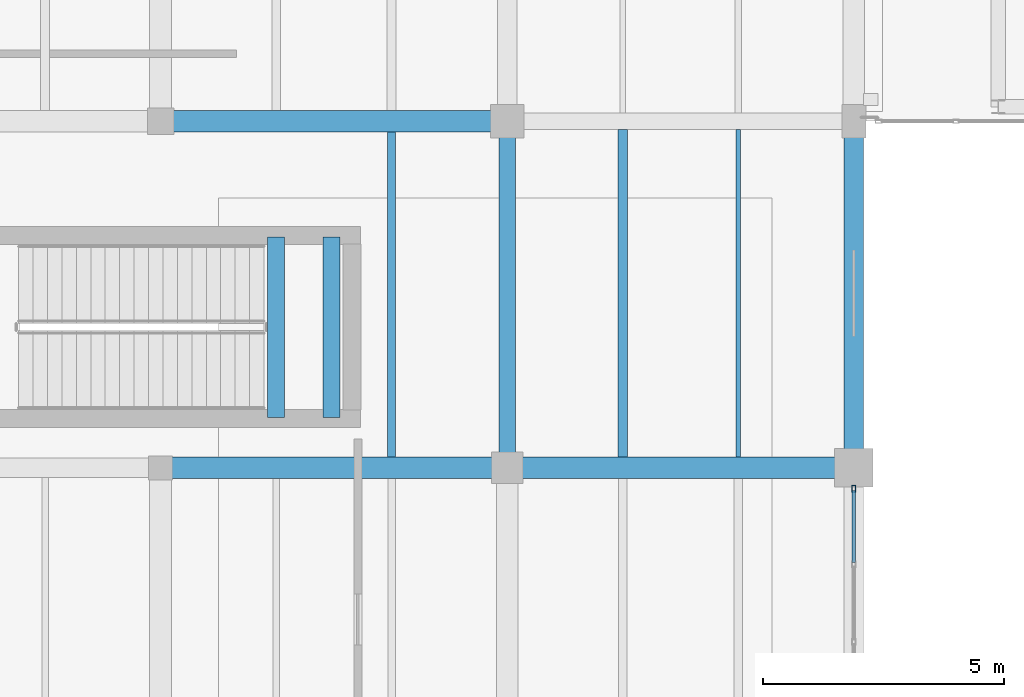
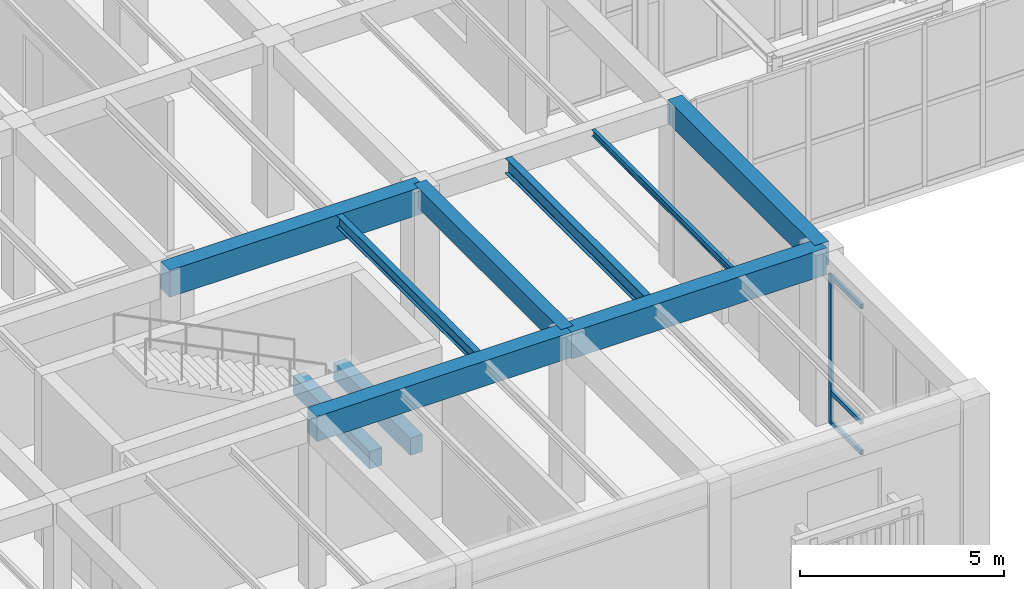
# One storey, part 21 of 169: 10 beams, 4 members, 1 element without a shape of its own.
"""IFC4 building model written with IfcOpenShell, lengths in metres."""

from ifc_helpers import new_model, si_unit, direction, frame, origin, origin_2d, place, context, subcontext, project, spatial, rectangle, hollow_rectangle, i_section, extrude, material, layer, layer_set, material_profile, profile_set, type_object, element, aggregate, save


model = new_model("IFC4")

# Units and contexts
model_context = context("Model", 3, precision=1e-05, world=origin(), true_north=direction((0.0, 1.0)))
body_context = subcontext(model_context, "Body", "Model", "MODEL_VIEW")
ifc_project = project(units=[si_unit("LENGTHUNIT", "METRE"), si_unit("AREAUNIT", "SQUARE_METRE"), si_unit("VOLUMEUNIT", "CUBIC_METRE"), si_unit("PLANEANGLEUNIT", "RADIAN"), si_unit("MASSUNIT", "GRAM", prefix="KILO")], contexts=[model_context])

# Site, building, storey
site_placement = place(None, origin())
site = spatial("IfcSite", under=ifc_project, at=site_placement, CompositionType="ELEMENT")
building_placement = place(site_placement, origin())
building = spatial("IfcBuilding", under=site, at=building_placement, Name="Mazaris Harbour Polytechnic", CompositionType="ELEMENT")
storey_placement = place(building_placement, origin())
storey = spatial("IfcBuildingStorey", under=building, at=storey_placement, Name="L00", CompositionType="ELEMENT", Elevation=0.0)

# Curtain wall, members
ifc_material_1 = material(Name="Anodised Bronze Aluminium and Low-E Glass", Category="aluminium")
ifc_layer = layer(ifc_material_1, 0.159912109375, Name="Anodised Bronze Aluminium and Low-E Glass")
ifc_layer_set = layer_set([ifc_layer], Name="Anodised Bronze Aluminium and Low-E Glass")
curtain_wall_type = type_object("IfcCurtainWallType", Name="Cloister Court Curtain Wall", PredefinedType="NOTDEFINED", material=ifc_layer_set)
curtain_wall_placement = place(storey_placement, origin())
curtain_wall = element("IfcCurtainWall", 1, at=curtain_wall_placement, inside=storey, type_object=curtain_wall_type, Name="V4 L00 Curtain Wall 95", PredefinedType="NOTDEFINED")
ifc_material_2 = material(Name="Anodised Bronze Steel S355", Category="steel")
ifc_material_profile_1 = material_profile(ifc_material_2, hollow_rectangle(XDim=0.080078125, YDim=0.139892578125, WallThickness=0.00634765625, at=origin_2d()), Name="RHS 80x140x6.3")
ifc_profile_set_1 = profile_set([ifc_material_profile_1], Name="Anodised Bronze Steel S355")
member_type_1 = type_object("IfcMemberType", Name="Curtain Mullion RHS80x140", PredefinedType="MULLION", material=ifc_profile_set_1)
member_1_placement = place(storey_placement, frame((43.199951171875, 13.968017578125, 0.0), z_axis=(0.0, 0.0, 1.0), x_axis=(1.0, 0.0, 0.0)))
member_1 = element("IfcMember", 2, at=member_1_placement, type_object=member_type_1, Name="CW-02 mullion 1", PredefinedType="MULLION", context=body_context, shape_type="SweptSolid", body=[
    extrude(hollow_rectangle(XDim=0.080078125, YDim=0.139892578125, WallThickness=0.00634765625, at=origin_2d()), origin(), (0.0, 0.0, 1.0), 4.43994140625),
])
ifc_material_3 = material(Name="Anodised Bronze Steel S355", Category="steel")
ifc_material_profile_2 = material_profile(ifc_material_3, hollow_rectangle(XDim=0.080078125, YDim=0.139892578125, WallThickness=0.00634765625, at=origin_2d()), Name="RHS 80x140x6.3")
ifc_profile_set_2 = profile_set([ifc_material_profile_2], Name="Anodised Bronze Steel S355")
member_type_2 = type_object("IfcMemberType", Name="Curtain Transom RHS80x140", PredefinedType="USERDEFINED", material=ifc_profile_set_2)
member_2_placement = place(storey_placement, frame((43.199951171875, 13.927978515625, 0.0400390625), z_axis=(0.0, -1.0, 0.0), x_axis=(1.0, 0.0, 0.0)))
member_2 = element("IfcMember", 3, at=member_2_placement, type_object=member_type_2, Name="CW-02 transom 1.1", ObjectType="TRANSOM", PredefinedType="USERDEFINED", context=body_context, shape_type="SweptSolid", body=[
    extrude(hollow_rectangle(XDim=0.080078125, YDim=0.139892578125, WallThickness=0.00634765625, at=origin_2d()), origin(), (0.0, 0.0, 1.0), 1.490234375),
])
member_3_placement = place(storey_placement, frame((43.199951171875, 13.927978515625, 0.949951171875), z_axis=(0.0, -1.0, 0.0), x_axis=(1.0, 0.0, 0.0)))
member_3 = element("IfcMember", 4, at=member_3_placement, type_object=member_type_2, Name="CW-02 transom 1.2", ObjectType="TRANSOM", PredefinedType="USERDEFINED", context=body_context, shape_type="SweptSolid", body=[
    extrude(hollow_rectangle(XDim=0.080078125, YDim=0.139892578125, WallThickness=0.00634765625, at=origin_2d()), origin(), (0.0, 0.0, 1.0), 1.490234375),
])
member_4_placement = place(storey_placement, frame((43.199951171875, 13.927978515625, 4.39990234375), z_axis=(0.0, -1.0, 0.0), x_axis=(1.0, 0.0, 0.0)))
member_4 = element("IfcMember", 5, at=member_4_placement, type_object=member_type_2, Name="CW-02 transom 1.3", ObjectType="TRANSOM", PredefinedType="USERDEFINED", context=body_context, shape_type="SweptSolid", body=[
    extrude(hollow_rectangle(XDim=0.080078125, YDim=0.139892578125, WallThickness=0.00634765625, at=origin_2d()), origin(), (0.0, 0.0, 1.0), 1.490234375),
])
aggregate(curtain_wall, [member_1, member_2, member_3, member_4])

# Beams
ifc_material_4 = material(Name="Concrete C35/45", Category="concrete")
ifc_material_profile_3 = material_profile(ifc_material_4, rectangle(XDim=0.35009765625, YDim=0.60009765625, at=origin_2d()), Name="RECT350x600")
ifc_profile_set_3 = profile_set([ifc_material_profile_3], Name="Concrete C35/45")
beam_type_1 = type_object("IfcBeamType", Name="RC Girder 350x600", PredefinedType="BEAM", material=ifc_profile_set_3)
beam_1_placement = place(storey_placement, frame((36.0, 14.39990234375, 4.800048828125), z_axis=(0.0, 1.0, 0.0), x_axis=(-1.0, 0.0, 0.0)))
element("IfcBeam", 6, at=beam_1_placement, inside=storey, type_object=beam_type_1, Name="V4 L00 Tie Girder 1480", PredefinedType="BEAM", context=body_context, shape_type="SweptSolid", body=[
    extrude(rectangle(XDim=0.35009765625, YDim=0.60009765625, at=origin_2d()), origin(), (0.0, 0.0, 1.0), 7.2001953125),
])
ifc_material_5 = material(Name="Concrete C35/45", Category="concrete")
ifc_material_profile_4 = material_profile(ifc_material_5, rectangle(XDim=0.39990234375, YDim=0.699951171875, at=origin_2d()), Name="RECT400x700")
ifc_profile_set_4 = profile_set([ifc_material_profile_4], Name="Concrete C35/45")
beam_type_2 = type_object("IfcBeamType", Name="RC Girder 400x700 Exterior", PredefinedType="BEAM", material=ifc_profile_set_4)
beam_2_placement = place(storey_placement, frame((43.199951171875, 14.39990234375, 4.75), z_axis=(0.0, 1.0, 0.0), x_axis=(-1.0, 0.0, 0.0)))
element("IfcBeam", 7, at=beam_2_placement, inside=storey, type_object=beam_type_2, Name="V4 L00 Tie Girder 1492", PredefinedType="BEAM", context=body_context, shape_type="SweptSolid", body=[
    extrude(rectangle(XDim=0.39990234375, YDim=0.699951171875, at=origin_2d()), origin(), (0.0, 0.0, 1.0), 7.2001953125),
])
ifc_material_6 = material(Name="Concrete C40/50", Category="concrete")
ifc_material_profile_5 = material_profile(ifc_material_6, rectangle(XDim=0.449951171875, YDim=0.75, at=origin_2d()), Name="RECT450x750")
ifc_profile_set_5 = profile_set([ifc_material_profile_5], Name="Concrete C40/50")
beam_type_3 = type_object("IfcBeamType", Name="RC Girder 450x750", PredefinedType="BEAM", material=ifc_profile_set_5)
beam_3_placement = place(storey_placement, frame((28.800048828125, 14.39990234375, 4.72509765625), z_axis=(1.0, 0.0, 0.0), x_axis=(0.0, 1.0, 0.0)))
element("IfcBeam", 8, at=beam_3_placement, inside=storey, type_object=beam_type_3, Name="V4 L00 Girder 1363", PredefinedType="BEAM", context=body_context, shape_type="SweptSolid", body=[
    extrude(rectangle(XDim=0.449951171875, YDim=0.75, at=origin_2d()), origin(), (0.0, 0.0, 1.0), 7.199951171875),
])
ifc_material_7 = material(Name="Concrete C40/50", Category="concrete")
ifc_material_profile_6 = material_profile(ifc_material_7, rectangle(XDim=0.449951171875, YDim=0.800048828125, at=origin_2d()), Name="RECT450x800")
ifc_profile_set_6 = profile_set([ifc_material_profile_6], Name="Concrete C40/50")
beam_type_4 = type_object("IfcBeamType", Name="RC Girder 450x800", PredefinedType="BEAM", material=ifc_profile_set_6)
for number, where, z_axis, x_axis, name in (
    (9, (36.0, 14.39990234375, 4.699951171875), (1.0, 0.0, 0.0), (0.0, 1.0, 0.0), "V4 L00 Girder 1364"),
    (10, (28.800048828125, 21.60009765625, 4.699951171875), (1.0, 0.0, 0.0), (0.0, 1.0, 0.0), "V4 L00 Girder 1369"),
):
    element("IfcBeam", number, at=place(storey_placement, frame(where, z_axis=z_axis, x_axis=x_axis)), inside=storey, type_object=beam_type_4, Name=name, PredefinedType="BEAM", context=body_context, shape_type="SweptSolid", body=[
        extrude(rectangle(XDim=0.449951171875, YDim=0.800048828125, at=origin_2d()), origin(), (0.0, 0.0, 1.0), 7.199951171875),
    ])
ifc_material_8 = material(Name="Concrete C40/50", Category="concrete")
ifc_material_profile_7 = material_profile(ifc_material_8, rectangle(XDim=0.35009765625, YDim=0.52001953125, at=origin_2d()), Name="RECT350x520")
ifc_profile_set_7 = profile_set([ifc_material_profile_7], Name="Concrete C40/50")
beam_type_5 = type_object("IfcBeamType", Name="RC Landing Bearer 350x520", PredefinedType="BEAM", material=ifc_profile_set_7)
for number, where, z_axis, x_axis, name in (
    (11, (31.199951171875, 15.449951171875, 2.239990234375), (0.0, 1.0, 0.0), (-1.0, 0.0, 0.0), "Core ST08 L00 Landing Bearer"),
    (12, (32.35009765625, 15.449951171875, 2.239990234375), (0.0, 1.0, 0.0), (-1.0, 0.0, 0.0), "Core ST08 L00 Landing Bearer"),
):
    element("IfcBeam", number, at=place(storey_placement, frame(where, z_axis=z_axis, x_axis=x_axis)), inside=storey, type_object=beam_type_5, Name=name, PredefinedType="BEAM", context=body_context, shape_type="SweptSolid", body=[
        extrude(rectangle(XDim=0.35009765625, YDim=0.52001953125, at=origin_2d()), origin(), (0.0, 0.0, 1.0), 3.75),
    ])
ifc_material_9 = material(Name="Steel S355", Category="steel")
ifc_material_profile_8 = material_profile(ifc_material_9, i_section(OverallWidth=0.10009765625, OverallDepth=0.199951171875, WebThickness=0.005615234375, FlangeThickness=0.008544921875, FilletRadius=0.011962890625, at=origin_2d()), Name="IPE 200")
ifc_profile_set_8 = profile_set([ifc_material_profile_8], Name="Steel S355")
beam_type_6 = type_object("IfcBeamType", Name="Steel Joist IPE200", PredefinedType="JOIST", material=ifc_profile_set_8)
beam_4_placement = place(storey_placement, frame((40.800048828125, 14.625, 5.0), z_axis=(0.0, 1.0, 0.0), x_axis=(-1.0, 0.0, 0.0)))
element("IfcBeam", 13, at=beam_4_placement, inside=storey, type_object=beam_type_6, Name="V4 L00 Floor Joist 1603", PredefinedType="JOIST", context=body_context, shape_type="SweptSolid", body=[
    extrude(i_section(OverallWidth=0.10009765625, OverallDepth=0.199951171875, WebThickness=0.005615234375, FlangeThickness=0.008544921875, FilletRadius=0.011962890625, at=origin_2d()), origin(), (0.0, 0.0, 1.0), 6.800048828125),
])
ifc_material_10 = material(Name="Steel S355", Category="steel")
ifc_material_profile_9 = material_profile(ifc_material_10, i_section(OverallWidth=0.169921875, OverallDepth=0.360107421875, WebThickness=0.008056640625, FlangeThickness=0.0126953125, FilletRadius=0.01806640625, at=origin_2d()), Name="IPE 360")
ifc_profile_set_9 = profile_set([ifc_material_profile_9], Name="Steel S355")
beam_type_7 = type_object("IfcBeamType", Name="Steel Joist IPE360", PredefinedType="JOIST", material=ifc_profile_set_9)
beam_5_placement = place(storey_placement, frame((33.60009765625, 14.625, 4.919921875), z_axis=(0.0, 1.0, 0.0), x_axis=(-1.0, 0.0, 0.0)))
element("IfcBeam", 14, at=beam_5_placement, inside=storey, type_object=beam_type_7, Name="V4 L00 Floor Joist 1579", PredefinedType="JOIST", context=body_context, shape_type="SweptSolid", body=[
    extrude(i_section(OverallWidth=0.169921875, OverallDepth=0.360107421875, WebThickness=0.008056640625, FlangeThickness=0.0126953125, FilletRadius=0.01806640625, at=origin_2d()), origin(), (0.0, 0.0, 1.0), 6.75),
])
ifc_material_11 = material(Name="Steel S355", Category="steel")
ifc_material_profile_10 = material_profile(ifc_material_11, i_section(OverallWidth=0.18994140625, OverallDepth=0.449951171875, WebThickness=0.009521484375, FlangeThickness=0.0146484375, FilletRadius=0.02099609375, at=origin_2d()), Name="IPE 450")
ifc_profile_set_10 = profile_set([ifc_material_profile_10], Name="Steel S355")
beam_type_8 = type_object("IfcBeamType", Name="Steel Joist IPE450", PredefinedType="JOIST", material=ifc_profile_set_10)
beam_6_placement = place(storey_placement, frame((38.39990234375, 14.625, 4.875), z_axis=(0.0, 1.0, 0.0), x_axis=(-1.0, 0.0, 0.0)))
element("IfcBeam", 15, at=beam_6_placement, inside=storey, type_object=beam_type_8, Name="V4 L00 Floor Joist 1602", PredefinedType="JOIST", context=body_context, shape_type="SweptSolid", body=[
    extrude(i_section(OverallWidth=0.18994140625, OverallDepth=0.449951171875, WebThickness=0.009521484375, FlangeThickness=0.0146484375, FilletRadius=0.02099609375, at=origin_2d()), origin(), (0.0, 0.0, 1.0), 6.800048828125),
])

save(model, "model.ifc")
